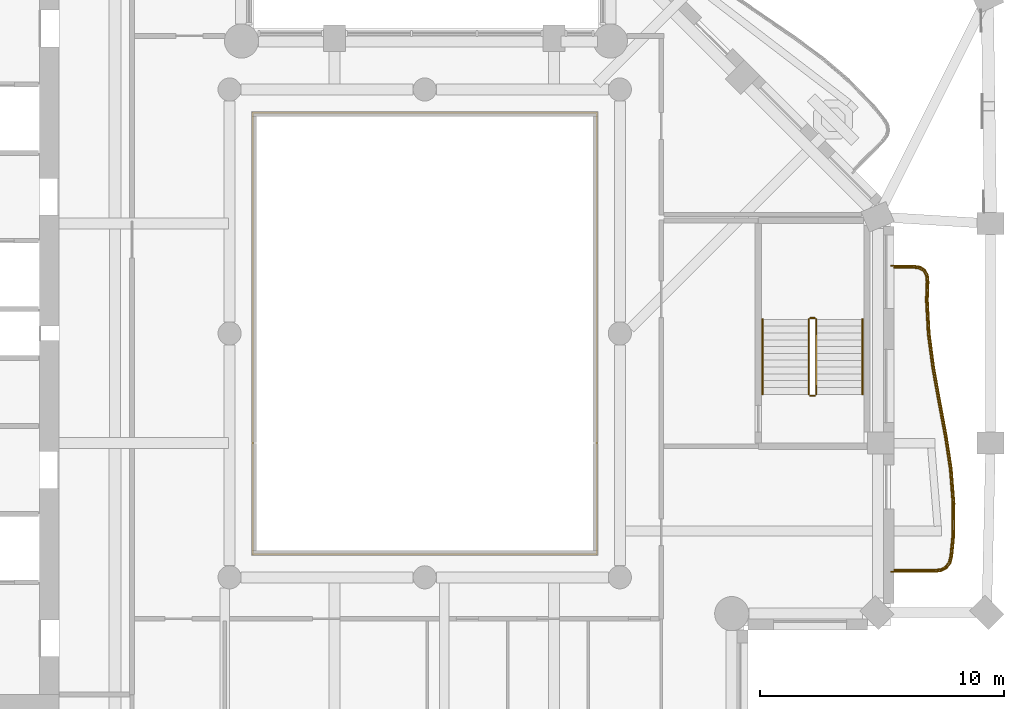
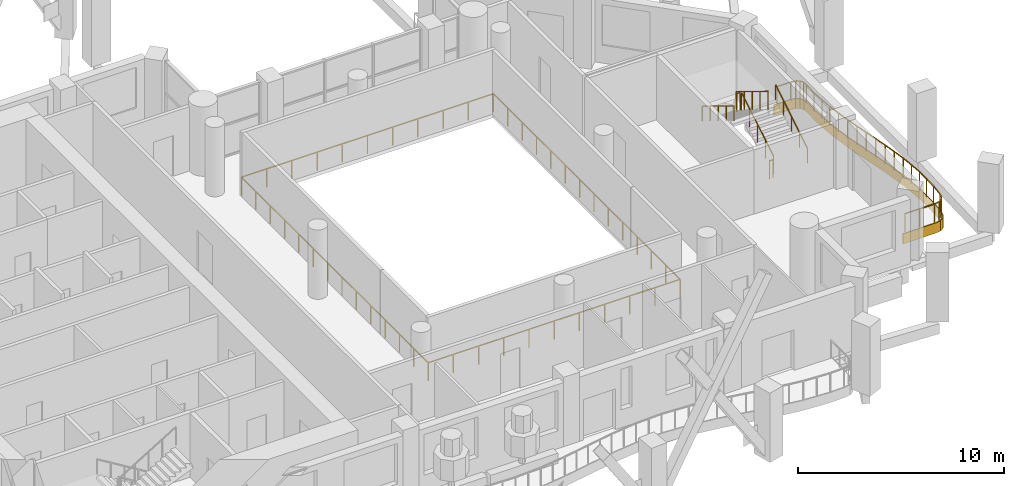
# One storey, part 14 of 17: 8 railings, 1 covering.
"""IFC4 building model written with IfcOpenShell, lengths in metres."""

import ifcopenshell
import ifcopenshell.guid

model = None  # the IFC model being written
_history = None  # IfcOwnerHistory: only IFC2X3 demands one
_inside = {}  # id of a spatial element -> (the spatial element, [elements in it])
_under = {}  # id of a project, library or spatial element -> (it, [spatial elements below it])
_declared = {}  # id of a project -> (the project, [libraries it declares])
_typed = {}  # id of a type object -> (the type object, [elements of that type])
_made_of = {}  # id of a material, layer set ... -> (it, [elements and type objects made of it])


def new_model(schema):
    """Start an empty IFC model of exactly this schema.

    Asked for "IFC4X3", IfcOpenShell would pick the latest addendum, in which some entities
    have other attributes; the version numbers below select the first issue.
    IFC2X3 requires an IfcOwnerHistory on every rooted entity: one is made here for all.
    """
    global model, _history
    if schema == "IFC4X3":
        model = ifcopenshell.file(schema_version=(4, 3, 0, 0))
    else:
        model = ifcopenshell.file(schema=schema)
    _inside.clear()
    _under.clear()
    _declared.clear()
    _typed.clear()
    _made_of.clear()
    _history = None
    if model.schema == "IFC2X3":
        org = make("IfcOrganization", Name="unknown")
        user = make(
            "IfcPersonAndOrganization",
            ThePerson=make("IfcPerson", FamilyName="unknown"),
            TheOrganization=org,
        )
        app = make(
            "IfcApplication",
            ApplicationDeveloper=org,
            Version="unknown",
            ApplicationFullName="unknown",
            ApplicationIdentifier="unknown",
        )
        _history = make(
            "IfcOwnerHistory",
            OwningUser=user,
            OwningApplication=app,
            ChangeAction="ADDED",
            CreationDate=0,
        )
    return model


def make(cls, **values):
    """One entity of the class cls with the attributes given. An attribute that is None is left unset."""
    return model.create_entity(
        cls, **{name: value for name, value in values.items() if value is not None}
    )


def rooted(cls, **values):
    """An entity with a GlobalId (a new one), such as an element, a storey or a relation."""
    return make(cls, GlobalId=ifcopenshell.guid.new(), OwnerHistory=_history, **values)


def si_unit(unit_type, name, prefix=None):
    """IfcSIUnit, for example si_unit("LENGTHUNIT", "METRE", prefix="MILLI")."""
    return make("IfcSIUnit", UnitType=unit_type, Prefix=prefix, Name=name)


def assignment(units):
    """IfcUnitAssignment: the units of a project."""
    return None if units is None else make("IfcUnitAssignment", Units=units)


def point(xyz):
    """IfcCartesianPoint."""
    return None if xyz is None else make("IfcCartesianPoint", Coordinates=xyz)


def direction(xyz):
    """IfcDirection."""
    return None if xyz is None else make("IfcDirection", DirectionRatios=xyz)


def frame(location, z_axis=None, x_axis=None):
    """IfcAxis2Placement3D, a coordinate frame: its origin and axes. An axis left out is left unset."""
    return make(
        "IfcAxis2Placement3D",
        Location=point(location),
        Axis=direction(z_axis),
        RefDirection=direction(x_axis),
    )


def frame_2d(location, x_axis=None):
    """IfcAxis2Placement2D, a coordinate frame in the plane: its origin and x axis."""
    return make(
        "IfcAxis2Placement2D", Location=point(location), RefDirection=direction(x_axis)
    )


def origin():
    """The frame at (0, 0, 0) with its axes left unset."""
    return frame((0.0, 0.0, 0.0))


def origin_2d():
    """The frame at (0, 0) in the plane with its x axis left unset."""
    return frame_2d((0.0, 0.0))


def place(relative_to, where):
    """IfcLocalPlacement: puts the frame where relative to a parent placement (None: the world)."""
    return make(
        "IfcLocalPlacement", PlacementRelTo=relative_to, RelativePlacement=where
    )


def context(
    kind, dimensions, precision=None, world=None, true_north=None, identifier=None
):
    """IfcGeometricRepresentationContext, for example the 3D "Model" context."""
    return make(
        "IfcGeometricRepresentationContext",
        ContextIdentifier=identifier,
        ContextType=kind,
        CoordinateSpaceDimension=dimensions,
        Precision=precision,
        WorldCoordinateSystem=world,
        TrueNorth=true_north,
    )


def subcontext(parent, identifier, kind, view, scale=None):
    """IfcGeometricRepresentationSubContext, for example "Body" below "Model"."""
    return make(
        "IfcGeometricRepresentationSubContext",
        ContextIdentifier=identifier,
        ContextType=kind,
        ParentContext=parent,
        TargetScale=scale,
        TargetView=view,
    )


def project(units=None, contexts=None):
    """IfcProject with its units and contexts."""
    return rooted(
        "IfcProject",
        Name="project",
        RepresentationContexts=contexts,
        UnitsInContext=assignment(units),
    )


def spatial(cls, under=None, at=None, **own):
    """A site, building, storey or space (cls), placed at a placement, below another one or the project."""
    s = rooted(cls, ObjectPlacement=at, **own)
    if under is not None:
        _under.setdefault(under.id(), (under, []))[1].append(s)
    return s


def polyline(points):
    """IfcPolyline through the points."""
    return make("IfcPolyline", Points=[point(p) for p in points])


def profile(cls, at=None, kind="AREA", **sizes):
    """A parametric profile (cls). Its sizes go by their IFC names, for example OverallWidth=200.0."""
    return make(cls, ProfileType=kind, Position=at, **sizes)


def rectangle(**sizes):
    """IfcRectangleProfileDef."""
    return profile("IfcRectangleProfileDef", **sizes)


def outline(outer, holes=None, kind="AREA"):
    """IfcArbitraryClosedProfileDef: a profile drawn as a closed curve; with holes, ...WithVoids."""
    if holes is None:
        return make("IfcArbitraryClosedProfileDef", ProfileType=kind, OuterCurve=outer)
    return make(
        "IfcArbitraryProfileDefWithVoids",
        ProfileType=kind,
        OuterCurve=outer,
        InnerCurves=holes,
    )


def extrude(swept, where, along, depth):
    """IfcExtrudedAreaSolid: the profile swept, set in the frame where, extruded along a direction by depth."""
    return make(
        "IfcExtrudedAreaSolid",
        SweptArea=swept,
        Position=where,
        ExtrudedDirection=direction(along),
        Depth=depth,
    )


def shape(context_of_items, identifier, shape_type, items):
    """IfcShapeRepresentation: the items that make up one representation, for example the "Body"."""
    return make(
        "IfcShapeRepresentation",
        ContextOfItems=context_of_items,
        RepresentationIdentifier=identifier,
        RepresentationType=shape_type,
        Items=items,
    )


def material(Name=None, Category=None):
    """IfcMaterial."""
    return make("IfcMaterial", Name=Name, Category=Category)


def layer(
    of_material, thickness, ventilated=None, Name=None, Category=None, Priority=None
):
    """IfcMaterialLayer: one layer of a wall or slab, of a material (None: an air gap)."""
    return make(
        "IfcMaterialLayer",
        Material=of_material,
        LayerThickness=thickness,
        IsVentilated=ventilated,
        Name=Name,
        Category=Category,
        Priority=Priority,
    )


def layer_set(layers, Name=None):
    """IfcMaterialLayerSet."""
    return make("IfcMaterialLayerSet", MaterialLayers=layers, LayerSetName=Name)


def made_of(thing, what):
    """Note that an element or type object is made of a material, layer set ...; save() writes the relation."""
    if what is not None:
        _made_of.setdefault(what.id(), (what, []))[1].append(thing)
    return thing


def type_object(cls, material=None, **own):
    """A type object (cls), such as IfcWallType, which elements share."""
    return made_of(rooted(cls, **own), material)


def element(
    cls,
    number,
    at=None,
    inside=None,
    cuts=None,
    type_object=None,
    material=None,
    context=None,
    identifier="Body",
    shape_type=None,
    held_by="IfcProductDefinitionShape",
    body=None,
    shapes=None,
    **own,
):
    """One element of the class cls, such as IfcWall. Its Tag is "e" and its number.

    at: its placement. inside: the storey or other place that contains it. cuts: it is an
    opening in that element (IfcRelVoidsElement). A single representation is given by context,
    identifier, shape_type and body (its items); several are given by shapes. held_by: the class
    of the entity that holds the representations. save() writes the other relations.
    """
    e = rooted(cls, Tag="e%d" % number, ObjectPlacement=at, **own)
    if body is not None:
        shapes = [shape(context, identifier, shape_type, body)]
    if shapes is not None:
        e.Representation = make(held_by, Representations=shapes)
    if inside is not None:
        _inside.setdefault(inside.id(), (inside, []))[1].append(e)
    if cuts is not None:
        rooted(
            "IfcRelVoidsElement", RelatingBuildingElement=cuts, RelatedOpeningElement=e
        )
    if type_object is not None:
        _typed.setdefault(type_object.id(), (type_object, []))[1].append(e)
    return made_of(e, material)


def aggregate(whole, parts):
    """IfcRelAggregates: a whole, such as a stair, and the parts it consists of."""
    return rooted("IfcRelAggregates", RelatingObject=whole, RelatedObjects=parts)


def save(model, path):
    """Write the relations noted so far, then the file.

    IfcRelAggregates (storeys below a building ...), IfcRelContainedInSpatialStructure (elements
    in a storey), IfcRelDefinesByType, IfcRelAssociatesMaterial and IfcRelDeclares: one each for
    every whole, place, type object, material and project.
    """
    for whole, parts in _under.values():
        aggregate(whole, parts)
    for where, things in _inside.values():
        rooted(
            "IfcRelContainedInSpatialStructure",
            RelatedElements=things,
            RelatingStructure=where,
        )
    for kind, things in _typed.values():
        rooted("IfcRelDefinesByType", RelatedObjects=things, RelatingType=kind)
    for what, things in _made_of.values():
        rooted("IfcRelAssociatesMaterial", RelatedObjects=things, RelatingMaterial=what)
    for by, libraries in _declared.values():
        rooted("IfcRelDeclares", RelatingContext=by, RelatedDefinitions=libraries)
    model.write(path)


model = new_model("IFC4")

# Units and contexts
model_context = context("Model", 3, precision=1e-05, world=origin(), true_north=direction((0.0, 1.0)))
body_context = subcontext(model_context, "Body", "Model", "MODEL_VIEW")
ifc_project = project(units=[si_unit("LENGTHUNIT", "METRE"), si_unit("AREAUNIT", "SQUARE_METRE"), si_unit("VOLUMEUNIT", "CUBIC_METRE"), si_unit("PLANEANGLEUNIT", "RADIAN"), si_unit("MASSUNIT", "GRAM", prefix="KILO")], contexts=[model_context])

# Site, building, storey
site_placement = place(None, origin())
site = spatial("IfcSite", under=ifc_project, at=site_placement, CompositionType="ELEMENT")
building_placement = place(site_placement, origin())
building = spatial("IfcBuilding", under=site, at=building_placement, Name="Cypress Arch Tower", CompositionType="ELEMENT")
storey_placement = place(building_placement, frame((0.0, 0.0, 217.89990234375)))
storey = spatial("IfcBuildingStorey", under=building, at=storey_placement, Name="L48", CompositionType="ELEMENT", Elevation=217.89990234375)

# Railing
ifc_material_1 = material(Name="Stainless steel posts and handrail, laminated glass infill", Category="steel")
railing_type_1 = type_object("IfcRailingType", Name="Atrium guard GR1100A", PredefinedType="GUARDRAIL", material=ifc_material_1)
railing_1_placement = place(storey_placement, frame((8.050048828125, -9.050048828125, 0.0)))
element("IfcRailing", 1, at=railing_1_placement, inside=storey, type_object=railing_type_1, Name="Atrium guard L48", PredefinedType="GUARDRAIL", context=body_context, shape_type="SweptSolid", body=[
    extrude(rectangle(XDim=0.050048828125, YDim=0.050048828125, at=origin_2d()), frame((0.0, 0.0, 1.0751953125), z_axis=(-1.0, 0.0, 0.0), x_axis=(0.0, -1.0, 0.0)), (0.0, 0.0, 1.0), 14.10009765625),
    extrude(rectangle(XDim=0.050048828125, YDim=0.050048828125, at=origin_2d()), frame((-14.10009765625, 0.0, 1.0751953125), z_axis=(0.0, 1.0, 0.0), x_axis=(-1.0, 0.0, 0.0)), (0.0, 0.0, 1.0), 18.10009765625),
    extrude(rectangle(XDim=0.050048828125, YDim=0.050048828125, at=origin_2d()), frame((-14.10009765625, 18.10009765625, 1.0751953125), z_axis=(1.0, 0.0, 0.0), x_axis=(0.0, 1.0, 0.0)), (0.0, 0.0, 1.0), 14.10009765625),
    extrude(rectangle(XDim=0.050048828125, YDim=0.050048828125, at=origin_2d()), frame((0.0, 18.10009765625, 1.0751953125), z_axis=(0.0, -1.0, 0.0), x_axis=(1.0, 0.0, 0.0)), (0.0, 0.0, 1.0), 18.10009765625),
    extrude(rectangle(XDim=0.050048828125, YDim=0.050048828125, at=origin_2d()), origin(), (0.0, 0.0, 1.0), 1.050048828125),
    extrude(rectangle(XDim=0.050048828125, YDim=0.050048828125, at=origin_2d()), frame((-1.409912109375, 0.0, 0.0)), (0.0, 0.0, 1.0), 1.050048828125),
    extrude(rectangle(XDim=0.050048828125, YDim=0.050048828125, at=origin_2d()), frame((-2.820068359375, 0.0, 0.0)), (0.0, 0.0, 1.0), 1.050048828125),
    extrude(rectangle(XDim=0.050048828125, YDim=0.050048828125, at=origin_2d()), frame((-4.22998046875, 0.0, 0.0)), (0.0, 0.0, 1.0), 1.050048828125),
    extrude(rectangle(XDim=0.050048828125, YDim=0.050048828125, at=origin_2d()), frame((-5.64013671875, 0.0, 0.0)), (0.0, 0.0, 1.0), 1.050048828125),
    extrude(rectangle(XDim=0.050048828125, YDim=0.050048828125, at=origin_2d()), frame((-7.050048828125, 0.0, 0.0)), (0.0, 0.0, 1.0), 1.050048828125),
    extrude(rectangle(XDim=0.050048828125, YDim=0.050048828125, at=origin_2d()), frame((-8.4599609375, 0.0, 0.0)), (0.0, 0.0, 1.0), 1.050048828125),
    extrude(rectangle(XDim=0.050048828125, YDim=0.050048828125, at=origin_2d()), frame((-9.8701171875, 0.0, 0.0)), (0.0, 0.0, 1.0), 1.050048828125),
    extrude(rectangle(XDim=0.050048828125, YDim=0.050048828125, at=origin_2d()), frame((-11.280029296875, 0.0, 0.0)), (0.0, 0.0, 1.0), 1.050048828125),
    extrude(rectangle(XDim=0.050048828125, YDim=0.050048828125, at=origin_2d()), frame((-12.690185546875, 0.0, 0.0)), (0.0, 0.0, 1.0), 1.050048828125),
    extrude(rectangle(XDim=0.050048828125, YDim=0.050048828125, at=origin_2d()), frame((-14.10009765625, 0.0, 0.0)), (0.0, 0.0, 1.0), 1.050048828125),
    extrude(rectangle(XDim=0.050048828125, YDim=0.050048828125, at=origin_2d()), frame((-14.10009765625, 1.392333984375, 0.0)), (0.0, 0.0, 1.0), 1.050048828125),
    extrude(rectangle(XDim=0.050048828125, YDim=0.050048828125, at=origin_2d()), frame((-14.10009765625, 2.78466796875, 0.0)), (0.0, 0.0, 1.0), 1.050048828125),
    extrude(rectangle(XDim=0.050048828125, YDim=0.050048828125, at=origin_2d()), frame((-14.10009765625, 4.177001953125, 0.0)), (0.0, 0.0, 1.0), 1.050048828125),
    extrude(rectangle(XDim=0.050048828125, YDim=0.050048828125, at=origin_2d()), frame((-14.10009765625, 5.5693359375, 0.0)), (0.0, 0.0, 1.0), 1.050048828125),
    extrude(rectangle(XDim=0.050048828125, YDim=0.050048828125, at=origin_2d()), frame((-14.10009765625, 6.961669921875, 0.0)), (0.0, 0.0, 1.0), 1.050048828125),
    extrude(rectangle(XDim=0.050048828125, YDim=0.050048828125, at=origin_2d()), frame((-14.10009765625, 8.35400390625, 0.0)), (0.0, 0.0, 1.0), 1.050048828125),
    extrude(rectangle(XDim=0.050048828125, YDim=0.050048828125, at=origin_2d()), frame((-14.10009765625, 9.74609375, 0.0)), (0.0, 0.0, 1.0), 1.050048828125),
    extrude(rectangle(XDim=0.050048828125, YDim=0.050048828125, at=origin_2d()), frame((-14.10009765625, 11.138427734375, 0.0)), (0.0, 0.0, 1.0), 1.050048828125),
    extrude(rectangle(XDim=0.050048828125, YDim=0.050048828125, at=origin_2d()), frame((-14.10009765625, 12.53076171875, 0.0)), (0.0, 0.0, 1.0), 1.050048828125),
    extrude(rectangle(XDim=0.050048828125, YDim=0.050048828125, at=origin_2d()), frame((-14.10009765625, 13.923095703125, 0.0)), (0.0, 0.0, 1.0), 1.050048828125),
    extrude(rectangle(XDim=0.050048828125, YDim=0.050048828125, at=origin_2d()), frame((-14.10009765625, 15.3154296875, 0.0)), (0.0, 0.0, 1.0), 1.050048828125),
    extrude(rectangle(XDim=0.050048828125, YDim=0.050048828125, at=origin_2d()), frame((-14.10009765625, 16.707763671875, 0.0)), (0.0, 0.0, 1.0), 1.050048828125),
    extrude(rectangle(XDim=0.050048828125, YDim=0.050048828125, at=origin_2d()), frame((-14.10009765625, 18.10009765625, 0.0)), (0.0, 0.0, 1.0), 1.050048828125),
    extrude(rectangle(XDim=0.050048828125, YDim=0.050048828125, at=origin_2d()), frame((-12.690185546875, 18.10009765625, 0.0)), (0.0, 0.0, 1.0), 1.050048828125),
    extrude(rectangle(XDim=0.050048828125, YDim=0.050048828125, at=origin_2d()), frame((-11.280029296875, 18.10009765625, 0.0)), (0.0, 0.0, 1.0), 1.050048828125),
    extrude(rectangle(XDim=0.050048828125, YDim=0.050048828125, at=origin_2d()), frame((-9.8701171875, 18.10009765625, 0.0)), (0.0, 0.0, 1.0), 1.050048828125),
    extrude(rectangle(XDim=0.050048828125, YDim=0.050048828125, at=origin_2d()), frame((-8.4599609375, 18.10009765625, 0.0)), (0.0, 0.0, 1.0), 1.050048828125),
    extrude(rectangle(XDim=0.050048828125, YDim=0.050048828125, at=origin_2d()), frame((-7.050048828125, 18.10009765625, 0.0)), (0.0, 0.0, 1.0), 1.050048828125),
    extrude(rectangle(XDim=0.050048828125, YDim=0.050048828125, at=origin_2d()), frame((-5.64013671875, 18.10009765625, 0.0)), (0.0, 0.0, 1.0), 1.050048828125),
    extrude(rectangle(XDim=0.050048828125, YDim=0.050048828125, at=origin_2d()), frame((-4.22998046875, 18.10009765625, 0.0)), (0.0, 0.0, 1.0), 1.050048828125),
    extrude(rectangle(XDim=0.050048828125, YDim=0.050048828125, at=origin_2d()), frame((-2.820068359375, 18.10009765625, 0.0)), (0.0, 0.0, 1.0), 1.050048828125),
    extrude(rectangle(XDim=0.050048828125, YDim=0.050048828125, at=origin_2d()), frame((-1.409912109375, 18.10009765625, 0.0)), (0.0, 0.0, 1.0), 1.050048828125),
    extrude(rectangle(XDim=0.050048828125, YDim=0.050048828125, at=origin_2d()), frame((0.0, 18.10009765625, 0.0)), (0.0, 0.0, 1.0), 1.050048828125),
    extrude(rectangle(XDim=0.050048828125, YDim=0.050048828125, at=origin_2d()), frame((0.0, 16.707763671875, 0.0)), (0.0, 0.0, 1.0), 1.050048828125),
    extrude(rectangle(XDim=0.050048828125, YDim=0.050048828125, at=origin_2d()), frame((0.0, 15.3154296875, 0.0)), (0.0, 0.0, 1.0), 1.050048828125),
    extrude(rectangle(XDim=0.050048828125, YDim=0.050048828125, at=origin_2d()), frame((0.0, 13.923095703125, 0.0)), (0.0, 0.0, 1.0), 1.050048828125),
    extrude(rectangle(XDim=0.050048828125, YDim=0.050048828125, at=origin_2d()), frame((0.0, 12.53076171875, 0.0)), (0.0, 0.0, 1.0), 1.050048828125),
    extrude(rectangle(XDim=0.050048828125, YDim=0.050048828125, at=origin_2d()), frame((0.0, 11.138427734375, 0.0)), (0.0, 0.0, 1.0), 1.050048828125),
    extrude(rectangle(XDim=0.050048828125, YDim=0.050048828125, at=origin_2d()), frame((0.0, 9.74609375, 0.0)), (0.0, 0.0, 1.0), 1.050048828125),
    extrude(rectangle(XDim=0.050048828125, YDim=0.050048828125, at=origin_2d()), frame((0.0, 8.35400390625, 0.0)), (0.0, 0.0, 1.0), 1.050048828125),
    extrude(rectangle(XDim=0.050048828125, YDim=0.050048828125, at=origin_2d()), frame((0.0, 6.961669921875, 0.0)), (0.0, 0.0, 1.0), 1.050048828125),
    extrude(rectangle(XDim=0.050048828125, YDim=0.050048828125, at=origin_2d()), frame((0.0, 5.5693359375, 0.0)), (0.0, 0.0, 1.0), 1.050048828125),
    extrude(rectangle(XDim=0.050048828125, YDim=0.050048828125, at=origin_2d()), frame((0.0, 4.177001953125, 0.0)), (0.0, 0.0, 1.0), 1.050048828125),
    extrude(rectangle(XDim=0.050048828125, YDim=0.050048828125, at=origin_2d()), frame((0.0, 2.78466796875, 0.0)), (0.0, 0.0, 1.0), 1.050048828125),
    extrude(rectangle(XDim=0.050048828125, YDim=0.050048828125, at=origin_2d()), frame((0.0, 1.392333984375, 0.0)), (0.0, 0.0, 1.0), 1.050048828125),
])

# Covering
ifc_material_2 = material(Name="White powder-coated aluminium fascia", Category="aluminium")
ifc_layer = layer(ifc_material_2, 0.050048828125)
ifc_layer_set = layer_set([ifc_layer], Name="Balcony fascia BF50")
covering_type = type_object("IfcCoveringType", Name="Balcony fascia BF50", PredefinedType="CLADDING", material=ifc_layer_set)
covering_placement = place(storey_placement, frame((0.0, 0.0, -0.599853515625)))
element("IfcCovering", 2, at=covering_placement, inside=storey, type_object=covering_type, Name="Balcony fascia L48-B04", PredefinedType="CLADDING", context=body_context, shape_type="SweptSolid", body=[
    extrude(outline(polyline([(21.02978515625, 2.800048828125), (21.315673828125, 2.759033203125), (21.526611328125, 2.629638671875), (21.648193359375, 2.4140625), (21.6787109375, 2.126708984375), (21.650634765625, 1.361572265625), (21.726318359375, -0.023193359375), (21.910888671875, -1.408935546875), (22.162353515625, -2.79638671875), (22.422607421875, -4.18603515625), (22.6318359375, -5.57763671875), (22.74169921875, -6.970458984375), (22.726318359375, -8.36376953125), (22.650634765625, -9.13330078125), (22.581298828125, -9.41943359375), (22.432373046875, -9.6318359375), (22.20654296875, -9.759033203125), (21.9150390625, -9.800048828125), (20.10107421875, -9.800048828125), (20.10107421875, -9.75), (21.91162109375, -9.75), (22.190185546875, -9.7109375), (22.39794921875, -9.59375), (22.534912109375, -9.3984375), (22.60107421875, -9.125), (22.67626953125, -8.361083984375), (22.691650390625, -6.97216796875), (22.582275390625, -5.583251953125), (22.373291015625, -4.1943359375), (22.113037109375, -2.8056640625), (21.861572265625, -1.416748046875), (21.676513671875, -0.02783203125), (21.6005859375, 1.361083984375), (21.628662109375, 2.125), (21.599609375, 2.3984375), (21.489501953125, 2.59375), (21.29833984375, 2.7109375), (21.026123046875, 2.75), (20.10107421875, 2.75), (20.10107421875, 2.800048828125), (21.02978515625, 2.800048828125)])), origin(), (0.0, 0.0, 1.0), 0.599853515625),
])

# Railings
ifc_material_3 = material(Name="Powder-coated steel posts and rods, 100 mm clear between rods", Category="steel")
railing_type_2 = type_object("IfcRailingType", Name="Balcony guard GR1100", PredefinedType="GUARDRAIL", material=ifc_material_3)
railing_2_placement = place(storey_placement, frame((20.25, 2.699951171875, 0.0)))
element("IfcRailing", 3, at=railing_2_placement, inside=storey, type_object=railing_type_2, Name="Balcony guard L48-B04", PredefinedType="GUARDRAIL", context=body_context, shape_type="SweptSolid", body=[
    extrude(rectangle(XDim=0.050048828125, YDim=0.050048828125, at=origin_2d()), frame((0.0, 0.0, 1.0751953125), z_axis=(1.0, 0.0, 0.0), x_axis=(0.0, 1.0, 0.0)), (0.0, 0.0, 1.0), 0.7724609375),
    extrude(rectangle(XDim=0.050048828125, YDim=0.050048828125, at=origin_2d()), frame((0.7724609375, 0.0, 1.0751953125), z_axis=(0.989855806633, -0.142075620971, 0.0), x_axis=(0.142075620971, 0.989855806633, 0.0)), (0.0, 0.0, 1.0), 0.26123046875),
    extrude(rectangle(XDim=0.050048828125, YDim=0.050048828125, at=origin_2d()), frame((1.031005859375, -0.037109375, 1.0751953125), z_axis=(0.852740888413, -0.522334162418, 0.0), x_axis=(0.522334162418, 0.852740888413, 0.0)), (0.0, 0.0, 1.0), 0.200927734375),
    extrude(rectangle(XDim=0.050048828125, YDim=0.050048828125, at=origin_2d()), frame((1.202392578125, -0.14208984375, 1.0751953125), z_axis=(0.490895695889, -0.871218351367, 0.0), x_axis=(0.871218351367, 0.490895695889, 0.0)), (0.0, 0.0, 1.0), 0.200927734375),
    extrude(rectangle(XDim=0.050048828125, YDim=0.050048828125, at=origin_2d()), frame((1.301025390625, -0.317138671875, 1.0751953125), z_axis=(0.105707331315, -0.994397284845, 0.0), x_axis=(0.994397284845, 0.105707331315, 0.0)), (0.0, 0.0, 1.0), 0.260986328125),
    extrude(rectangle(XDim=0.050048828125, YDim=0.050048828125, at=origin_2d()), frame((1.32861328125, -0.57666015625, 1.0751953125), z_axis=(-0.036786863138, -0.999323134277, 0.0), x_axis=(0.999323134277, -0.036786863138, 0.0)), (0.0, 0.0, 1.0), 0.76318359375),
    extrude(rectangle(XDim=0.050048828125, YDim=0.050048828125, at=origin_2d()), frame((1.300537109375, -1.33935546875, 1.0751953125), z_axis=(0.054597727076, -0.998508431711, 0.0), x_axis=(0.998508431711, 0.054597727076, 0.0)), (0.0, 0.0, 1.0), 1.395263671875),
    extrude(rectangle(XDim=0.050048828125, YDim=0.050048828125, at=origin_2d()), frame((1.376708984375, -2.732421875, 1.0751953125), z_axis=(0.131970102803, -0.991253697076, 0.0), x_axis=(0.991253697076, 0.131970102803, 0.0)), (0.0, 0.0, 1.0), 1.404052734375),
    extrude(rectangle(XDim=0.050048828125, YDim=0.050048828125, at=origin_2d()), frame((1.56201171875, -4.124267578125, 1.0751953125), z_axis=(0.178307635327, -0.983974789913, 0.0), x_axis=(0.983974789913, 0.178307635327, 0.0)), (0.0, 0.0, 1.0), 1.4130859375),
    extrude(rectangle(XDim=0.050048828125, YDim=0.050048828125, at=origin_2d()), frame((1.81396484375, -5.5146484375, 1.0751953125), z_axis=(0.184100663879, -0.982907394193, 0.0), x_axis=(0.982907394193, 0.184100663879, 0.0)), (0.0, 0.0, 1.0), 1.412353515625),
    extrude(rectangle(XDim=0.050048828125, YDim=0.050048828125, at=origin_2d()), frame((2.073974609375, -6.90283203125, 1.0751953125), z_axis=(0.148732193661, -0.988877512419, 0.0), x_axis=(0.988877512419, 0.148732193661, 0.0)), (0.0, 0.0, 1.0), 1.40185546875),
    extrude(rectangle(XDim=0.050048828125, YDim=0.050048828125, at=origin_2d()), frame((2.282470703125, -8.2890625, 1.0751953125), z_axis=(0.078564586484, -0.996909025815, 0.0), x_axis=(0.996909025815, 0.078564586484, 0.0)), (0.0, 0.0, 1.0), 1.38916015625),
    extrude(rectangle(XDim=0.050048828125, YDim=0.050048828125, at=origin_2d()), frame((2.3916015625, -9.673828125, 1.0751953125), z_axis=(-0.01110846638, -0.999938299084, 0.0), x_axis=(0.999938299084, -0.01110846638, 0.0)), (0.0, 0.0, 1.0), 1.384521484375),
    extrude(rectangle(XDim=0.050048828125, YDim=0.050048828125, at=origin_2d()), frame((2.376220703125, -11.058349609375, 1.0751953125), z_axis=(-0.097726994385, -0.995213260848, 0.0), x_axis=(0.995213260848, -0.097726994385, 0.0)), (0.0, 0.0, 1.0), 0.761962890625),
    extrude(rectangle(XDim=0.050048828125, YDim=0.050048828125, at=origin_2d()), frame((2.3017578125, -11.816650390625, 1.0751953125), z_axis=(-0.235678156233, -0.971831161609, 0.0), x_axis=(0.971831161609, -0.235678156233, 0.0)), (0.0, 0.0, 1.0), 0.268310546875),
    extrude(rectangle(XDim=0.050048828125, YDim=0.050048828125, at=origin_2d()), frame((2.238525390625, -12.077392578125, 1.0751953125), z_axis=(-0.574214795789, -0.818704689309, 0.0), x_axis=(0.818704689309, -0.574214795789, 0.0)), (0.0, 0.0, 1.0), 0.2177734375),
    extrude(rectangle(XDim=0.050048828125, YDim=0.050048828125, at=origin_2d()), frame((2.113525390625, -12.255615234375, 1.0751953125), z_axis=(-0.870646303544, -0.491909558888, 0.0), x_axis=(0.491909558888, -0.870646303544, 0.0)), (0.0, 0.0, 1.0), 0.2177734375),
    extrude(rectangle(XDim=0.050048828125, YDim=0.050048828125, at=origin_2d()), frame((1.923828125, -12.36279296875, 1.0751953125), z_axis=(-0.990381701959, -0.138362149538, 0.0), x_axis=(0.138362149538, -0.990381701959, 0.0)), (0.0, 0.0, 1.0), 0.268310546875),
    extrude(rectangle(XDim=0.050048828125, YDim=0.050048828125, at=origin_2d()), frame((1.658203125, -12.39990234375, 1.0751953125), z_axis=(-1.0, 0.0, 0.0), x_axis=(0.0, -1.0, 0.0)), (0.0, 0.0, 1.0), 1.658203125),
    extrude(rectangle(XDim=0.0400390625, YDim=0.0400390625, at=origin_2d()), origin(), (0.0, 0.0, 1.0), 1.050048828125),
    extrude(rectangle(XDim=0.0400390625, YDim=0.0400390625, at=origin_2d()), frame((0.7724609375, 0.0, 0.0)), (0.0, 0.0, 1.0), 1.050048828125),
    extrude(rectangle(XDim=0.0400390625, YDim=0.0400390625, at=origin_2d()), frame((1.031005859375, -0.037109375, 0.0)), (0.0, 0.0, 1.0), 1.050048828125),
    extrude(rectangle(XDim=0.0400390625, YDim=0.0400390625, at=origin_2d()), frame((1.202392578125, -0.14208984375, 0.0)), (0.0, 0.0, 1.0), 1.050048828125),
    extrude(rectangle(XDim=0.0400390625, YDim=0.0400390625, at=origin_2d()), frame((1.301025390625, -0.317138671875, 0.0)), (0.0, 0.0, 1.0), 1.050048828125),
    extrude(rectangle(XDim=0.0400390625, YDim=0.0400390625, at=origin_2d()), frame((1.32861328125, -0.57666015625, 0.0)), (0.0, 0.0, 1.0), 1.050048828125),
    extrude(rectangle(XDim=0.0400390625, YDim=0.0400390625, at=origin_2d()), frame((1.300537109375, -1.33935546875, 0.0)), (0.0, 0.0, 1.0), 1.050048828125),
    extrude(rectangle(XDim=0.0400390625, YDim=0.0400390625, at=origin_2d()), frame((1.338623046875, -2.035888671875, 0.0)), (0.0, 0.0, 1.0), 1.050048828125),
    extrude(rectangle(XDim=0.0400390625, YDim=0.0400390625, at=origin_2d()), frame((1.376708984375, -2.732421875, 0.0)), (0.0, 0.0, 1.0), 1.050048828125),
    extrude(rectangle(XDim=0.0400390625, YDim=0.0400390625, at=origin_2d()), frame((1.46923828125, -3.42822265625, 0.0)), (0.0, 0.0, 1.0), 1.050048828125),
    extrude(rectangle(XDim=0.0400390625, YDim=0.0400390625, at=origin_2d()), frame((1.56201171875, -4.124267578125, 0.0)), (0.0, 0.0, 1.0), 1.050048828125),
    extrude(rectangle(XDim=0.0400390625, YDim=0.0400390625, at=origin_2d()), frame((1.68798828125, -4.8193359375, 0.0)), (0.0, 0.0, 1.0), 1.050048828125),
    extrude(rectangle(XDim=0.0400390625, YDim=0.0400390625, at=origin_2d()), frame((1.81396484375, -5.5146484375, 0.0)), (0.0, 0.0, 1.0), 1.050048828125),
    extrude(rectangle(XDim=0.0400390625, YDim=0.0400390625, at=origin_2d()), frame((1.94384765625, -6.208740234375, 0.0)), (0.0, 0.0, 1.0), 1.050048828125),
    extrude(rectangle(XDim=0.0400390625, YDim=0.0400390625, at=origin_2d()), frame((2.073974609375, -6.90283203125, 0.0)), (0.0, 0.0, 1.0), 1.050048828125),
    extrude(rectangle(XDim=0.0400390625, YDim=0.0400390625, at=origin_2d()), frame((2.17822265625, -7.595947265625, 0.0)), (0.0, 0.0, 1.0), 1.050048828125),
    extrude(rectangle(XDim=0.0400390625, YDim=0.0400390625, at=origin_2d()), frame((2.282470703125, -8.2890625, 0.0)), (0.0, 0.0, 1.0), 1.050048828125),
    extrude(rectangle(XDim=0.0400390625, YDim=0.0400390625, at=origin_2d()), frame((2.3369140625, -8.9814453125, 0.0)), (0.0, 0.0, 1.0), 1.050048828125),
    extrude(rectangle(XDim=0.0400390625, YDim=0.0400390625, at=origin_2d()), frame((2.3916015625, -9.673828125, 0.0)), (0.0, 0.0, 1.0), 1.050048828125),
    extrude(rectangle(XDim=0.0400390625, YDim=0.0400390625, at=origin_2d()), frame((2.3837890625, -10.3662109375, 0.0)), (0.0, 0.0, 1.0), 1.050048828125),
    extrude(rectangle(XDim=0.0400390625, YDim=0.0400390625, at=origin_2d()), frame((2.376220703125, -11.058349609375, 0.0)), (0.0, 0.0, 1.0), 1.050048828125),
    extrude(rectangle(XDim=0.0400390625, YDim=0.0400390625, at=origin_2d()), frame((2.3017578125, -11.816650390625, 0.0)), (0.0, 0.0, 1.0), 1.050048828125),
    extrude(rectangle(XDim=0.0400390625, YDim=0.0400390625, at=origin_2d()), frame((2.238525390625, -12.077392578125, 0.0)), (0.0, 0.0, 1.0), 1.050048828125),
    extrude(rectangle(XDim=0.0400390625, YDim=0.0400390625, at=origin_2d()), frame((2.113525390625, -12.255615234375, 0.0)), (0.0, 0.0, 1.0), 1.050048828125),
    extrude(rectangle(XDim=0.0400390625, YDim=0.0400390625, at=origin_2d()), frame((1.923828125, -12.36279296875, 0.0)), (0.0, 0.0, 1.0), 1.050048828125),
    extrude(rectangle(XDim=0.0400390625, YDim=0.0400390625, at=origin_2d()), frame((1.658203125, -12.39990234375, 0.0)), (0.0, 0.0, 1.0), 1.050048828125),
    extrude(rectangle(XDim=0.0400390625, YDim=0.0400390625, at=origin_2d()), frame((0.8291015625, -12.39990234375, 0.0)), (0.0, 0.0, 1.0), 1.050048828125),
    extrude(rectangle(XDim=0.0400390625, YDim=0.0400390625, at=origin_2d()), frame((0.0, -12.39990234375, 0.0)), (0.0, 0.0, 1.0), 1.050048828125),
])
ifc_material_4 = material(Name="Black powder-coated steel square bar 48 mm", Category="steel")
railing_type_3 = type_object("IfcRailingType", Name="Stair handrail HR1", PredefinedType="HANDRAIL", material=ifc_material_4)
railing_3_placement = place(storey_placement, frame((18.949951171875, -2.5, 0.1708984375)))
element("IfcRailing", 4, at=railing_3_placement, inside=storey, type_object=railing_type_3, Name="L48 C stair handrail 1", PredefinedType="HANDRAIL", context=body_context, shape_type="SweptSolid", body=[
    extrude(rectangle(XDim=0.048095703125, YDim=0.048095703125, at=origin_2d()), frame((0.0, 0.0, 0.8759765625), z_axis=(0.0, 0.853666305674, 0.52082035152), x_axis=(-1.0, 0.0, 0.0)), (0.0, 0.0, 1.0), 3.608154296875),
    extrude(rectangle(XDim=0.0419921875, YDim=0.0419921875, at=origin_2d()), origin(), (0.0, 0.0, 1.0), 0.851806640625),
    extrude(rectangle(XDim=0.0419921875, YDim=0.0419921875, at=origin_2d()), frame((0.0, 0.77001953125, 0.4697265625)), (0.0, 0.0, 1.0), 0.851806640625),
    extrude(rectangle(XDim=0.0419921875, YDim=0.0419921875, at=origin_2d()), frame((0.0, 1.5400390625, 0.939453125)), (0.0, 0.0, 1.0), 0.851806640625),
    extrude(rectangle(XDim=0.0419921875, YDim=0.0419921875, at=origin_2d()), frame((0.0, 2.31005859375, 1.409423828125)), (0.0, 0.0, 1.0), 0.851806640625),
    extrude(rectangle(XDim=0.0419921875, YDim=0.0419921875, at=origin_2d()), frame((0.0, 3.080078125, 1.879150390625)), (0.0, 0.0, 1.0), 0.851806640625),
])
railing_4_placement = place(storey_placement, frame((14.85009765625, 0.580078125, 2.220947265625)))
element("IfcRailing", 5, at=railing_4_placement, inside=storey, type_object=railing_type_3, Name="L48 C stair handrail 2", PredefinedType="HANDRAIL", context=body_context, shape_type="SweptSolid", body=[
    extrude(rectangle(XDim=0.048095703125, YDim=0.048095703125, at=origin_2d()), frame((0.0, 0.0, 0.8759765625), z_axis=(0.0, -0.853666305674, 0.52082035152), x_axis=(1.0, 0.0, 0.0)), (0.0, 0.0, 1.0), 3.608154296875),
    extrude(rectangle(XDim=0.0419921875, YDim=0.0419921875, at=origin_2d()), origin(), (0.0, 0.0, 1.0), 0.851806640625),
    extrude(rectangle(XDim=0.0419921875, YDim=0.0419921875, at=origin_2d()), frame((0.0, -0.77001953125, 0.4697265625)), (0.0, 0.0, 1.0), 0.851806640625),
    extrude(rectangle(XDim=0.0419921875, YDim=0.0419921875, at=origin_2d()), frame((0.0, -1.5400390625, 0.939453125)), (0.0, 0.0, 1.0), 0.851806640625),
    extrude(rectangle(XDim=0.0419921875, YDim=0.0419921875, at=origin_2d()), frame((0.0, -2.31005859375, 1.409423828125)), (0.0, 0.0, 1.0), 0.851806640625),
    extrude(rectangle(XDim=0.0419921875, YDim=0.0419921875, at=origin_2d()), frame((0.0, -3.080078125, 1.879150390625)), (0.0, 0.0, 1.0), 0.851806640625),
])
ifc_material_5 = material(Name="Black powder-coated steel balusters", Category="steel")
railing_type_4 = type_object("IfcRailingType", Name="Stair well guard G1", PredefinedType="GUARDRAIL", material=ifc_material_5)
railing_5_placement = place(storey_placement, frame((17.050048828125, -2.5, 0.1708984375)))
element("IfcRailing", 6, at=railing_5_placement, inside=storey, type_object=railing_type_4, Name="L48 C stair guard 1", PredefinedType="GUARDRAIL", context=body_context, shape_type="SweptSolid", body=[
    extrude(rectangle(XDim=0.048095703125, YDim=0.048095703125, at=origin_2d()), frame((0.0, 0.0, 1.076171875), z_axis=(0.0, 0.853666305674, 0.52082035152), x_axis=(-1.0, 0.0, 0.0)), (0.0, 0.0, 1.0), 3.608154296875),
    extrude(rectangle(XDim=0.0419921875, YDim=0.0419921875, at=origin_2d()), origin(), (0.0, 0.0, 1.0), 1.052001953125),
    extrude(rectangle(XDim=0.0419921875, YDim=0.0419921875, at=origin_2d()), frame((0.0, 0.77001953125, 0.4697265625)), (0.0, 0.0, 1.0), 1.052001953125),
    extrude(rectangle(XDim=0.0419921875, YDim=0.0419921875, at=origin_2d()), frame((0.0, 1.5400390625, 0.939453125)), (0.0, 0.0, 1.0), 1.052001953125),
    extrude(rectangle(XDim=0.0419921875, YDim=0.0419921875, at=origin_2d()), frame((0.0, 2.31005859375, 1.409423828125)), (0.0, 0.0, 1.0), 1.052001953125),
    extrude(rectangle(XDim=0.0419921875, YDim=0.0419921875, at=origin_2d()), frame((0.0, 3.080078125, 1.879150390625)), (0.0, 0.0, 1.0), 1.052001953125),
])
railing_6_placement = place(storey_placement, frame((17.0, 0.6298828125, 2.050048828125)))
element("IfcRailing", 7, at=railing_6_placement, inside=storey, type_object=railing_type_4, Name="L48 C stair guard 2", PredefinedType="GUARDRAIL", context=body_context, shape_type="SweptSolid", body=[
    extrude(rectangle(XDim=0.048095703125, YDim=0.048095703125, at=origin_2d()), frame((0.0, 0.0, 1.076171875), z_axis=(-1.0, 0.0, 0.0), x_axis=(0.0, -1.0, 0.0)), (0.0, 0.0, 1.0), 0.199951171875),
    extrude(rectangle(XDim=0.0419921875, YDim=0.0419921875, at=origin_2d()), origin(), (0.0, 0.0, 1.0), 1.052001953125),
    extrude(rectangle(XDim=0.0419921875, YDim=0.0419921875, at=origin_2d()), frame((-0.199951171875, 0.0, 0.0)), (0.0, 0.0, 1.0), 1.052001953125),
])
railing_7_placement = place(storey_placement, frame((16.75, 0.580078125, 2.220947265625)))
element("IfcRailing", 8, at=railing_7_placement, inside=storey, type_object=railing_type_4, Name="L48 C stair guard 3", PredefinedType="GUARDRAIL", context=body_context, shape_type="SweptSolid", body=[
    extrude(rectangle(XDim=0.048095703125, YDim=0.048095703125, at=origin_2d()), frame((0.0, 0.0, 1.076171875), z_axis=(0.0, -0.853666305674, 0.52082035152), x_axis=(1.0, 0.0, 0.0)), (0.0, 0.0, 1.0), 3.608154296875),
    extrude(rectangle(XDim=0.0419921875, YDim=0.0419921875, at=origin_2d()), origin(), (0.0, 0.0, 1.0), 1.052001953125),
    extrude(rectangle(XDim=0.0419921875, YDim=0.0419921875, at=origin_2d()), frame((0.0, -0.77001953125, 0.4697265625)), (0.0, 0.0, 1.0), 1.052001953125),
    extrude(rectangle(XDim=0.0419921875, YDim=0.0419921875, at=origin_2d()), frame((0.0, -1.5400390625, 0.939453125)), (0.0, 0.0, 1.0), 1.052001953125),
    extrude(rectangle(XDim=0.0419921875, YDim=0.0419921875, at=origin_2d()), frame((0.0, -2.31005859375, 1.409423828125)), (0.0, 0.0, 1.0), 1.052001953125),
    extrude(rectangle(XDim=0.0419921875, YDim=0.0419921875, at=origin_2d()), frame((0.0, -3.080078125, 1.879150390625)), (0.0, 0.0, 1.0), 1.052001953125),
])
railing_8_placement = place(storey_placement, frame((17.0, -2.550048828125, 0.0)))
element("IfcRailing", 9, at=railing_8_placement, inside=storey, type_object=railing_type_4, Name="L48 C stair guard 4", PredefinedType="GUARDRAIL", context=body_context, shape_type="SweptSolid", body=[
    extrude(rectangle(XDim=0.048095703125, YDim=0.048095703125, at=origin_2d()), frame((0.0, 0.0, 1.076171875), z_axis=(-1.0, 0.0, 0.0), x_axis=(0.0, -1.0, 0.0)), (0.0, 0.0, 1.0), 0.199951171875),
    extrude(rectangle(XDim=0.0419921875, YDim=0.0419921875, at=origin_2d()), origin(), (0.0, 0.0, 1.0), 1.052001953125),
    extrude(rectangle(XDim=0.0419921875, YDim=0.0419921875, at=origin_2d()), frame((-0.199951171875, 0.0, 0.0)), (0.0, 0.0, 1.0), 1.052001953125),
])

save(model, "model.ifc")
